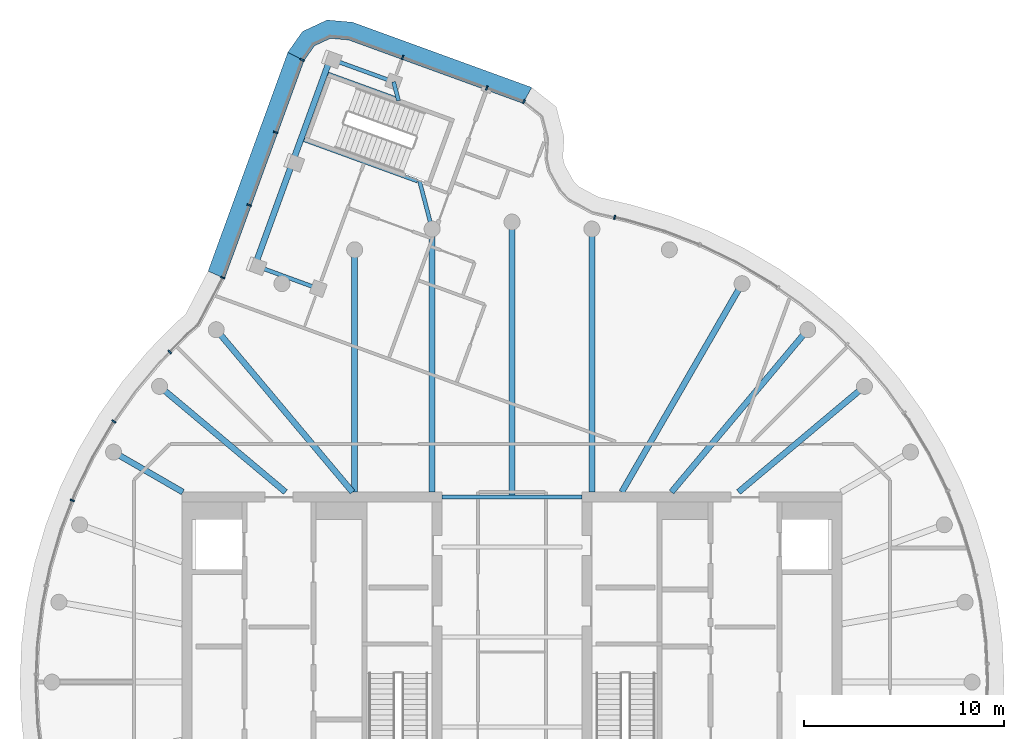
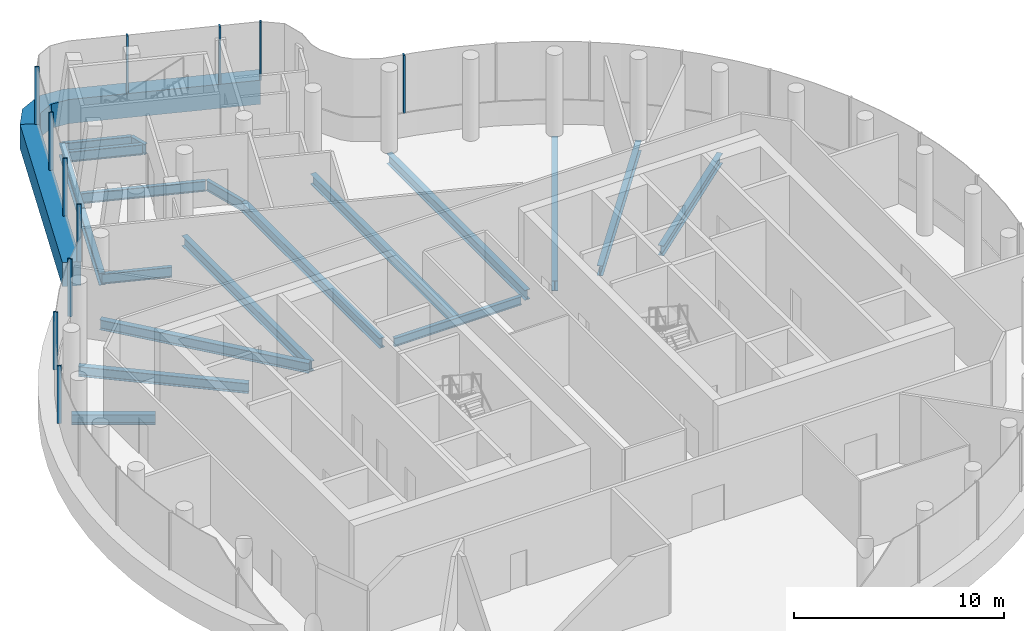
# One storey, part 5 of 12: 19 beams, 13 members, 3 elements without a shape of their own.
"""IFC4 building model written with IfcOpenShell, lengths in metres."""

from ifc_helpers import new_model, si_unit, direction, frame, origin, origin_2d, place, context, subcontext, project, spatial, polyline, rectangle, i_section, outline, extrude, material, layer, layer_set, material_profile, profile_set, type_object, element, aggregate, save


model = new_model("IFC4")

# Units and contexts
model_context = context("Model", 3, precision=1e-05, world=origin(), true_north=direction((0.0, 1.0)))
body_context = subcontext(model_context, "Body", "Model", "MODEL_VIEW")
ifc_project = project(units=[si_unit("LENGTHUNIT", "METRE"), si_unit("AREAUNIT", "SQUARE_METRE"), si_unit("VOLUMEUNIT", "CUBIC_METRE"), si_unit("PLANEANGLEUNIT", "RADIAN"), si_unit("MASSUNIT", "GRAM", prefix="KILO")], contexts=[model_context])

# Site, building, storey
site_placement = place(None, origin())
site = spatial("IfcSite", under=ifc_project, at=site_placement, CompositionType="ELEMENT")
building_placement = place(site_placement, origin())
building = spatial("IfcBuilding", under=site, at=building_placement, Name="Tamarind Cross Interchange Tower", CompositionType="ELEMENT")
storey_placement = place(building_placement, frame((0.0, 0.0, 294.39990234375)))
storey = spatial("IfcBuildingStorey", under=building, at=storey_placement, Name="L73", CompositionType="ELEMENT", Elevation=294.39990234375)

# Beams
ifc_material_1 = material(Name="Steel Q355B", Category="steel")
ifc_material_profile_1 = material_profile(ifc_material_1, i_section(OverallWidth=0.300048828125, OverallDepth=0.58203125, WebThickness=0.011962890625, FlangeThickness=0.01708984375, FilletRadius=0.01806640625, at=origin_2d()), Name="HM 582x300x12x17")
ifc_profile_set_1 = profile_set([ifc_material_profile_1], Name="Steel Q355B")
beam_type_1 = type_object("IfcBeamType", Name="Composite beam HM 582x300x12x17 Q355B", PredefinedType="BEAM", material=ifc_profile_set_1)
beam_1_placement = place(storey_placement, frame((17.619140625, 14.7841796875, -0.490966796875), z_axis=(-0.766040580814, -0.642792212574, 0.0), x_axis=(0.642792212574, -0.766040580814, 0.0)))
element("IfcBeam", 1, at=beam_1_placement, inside=storey, type_object=beam_type_1, Name="Beam HH04", PredefinedType="BEAM", context=body_context, shape_type="SweptSolid", body=[
    extrude(i_section(OverallWidth=0.300048828125, OverallDepth=0.58203125, WebThickness=0.011962890625, FlangeThickness=0.01708984375, FilletRadius=0.01806640625, at=origin_2d()), origin(), (0.0, 0.0, 1.0), 8.220703125),
])
beam_2_placement = place(storey_placement, frame((14.7841796875, 17.619140625, -0.490966796875), z_axis=(-0.642786293979, -0.766045547127, 0.0), x_axis=(0.766045547127, -0.642786293979, 0.0)))
element("IfcBeam", 2, at=beam_2_placement, inside=storey, type_object=beam_type_1, Name="Beam HH05", PredefinedType="BEAM", context=body_context, shape_type="SweptSolid", body=[
    extrude(i_section(OverallWidth=0.300048828125, OverallDepth=0.58203125, WebThickness=0.011962890625, FlangeThickness=0.01708984375, FilletRadius=0.01806640625, at=origin_2d()), origin(), (0.0, 0.0, 1.0), 10.598876953125),
])
beam_3_placement = place(storey_placement, frame((11.5, 19.918701171875, -0.490966796875), z_axis=(-0.499993565836, -0.866029118519, 0.0), x_axis=(0.866029118519, -0.499993565836, 0.0)))
element("IfcBeam", 3, at=beam_3_placement, inside=storey, type_object=beam_type_1, Name="Beam HH06", PredefinedType="BEAM", context=body_context, shape_type="SweptSolid", body=[
    extrude(i_section(OverallWidth=0.300048828125, OverallDepth=0.58203125, WebThickness=0.011962890625, FlangeThickness=0.01708984375, FilletRadius=0.01806640625, at=origin_2d()), origin(), (0.0, 0.0, 1.0), 12.030517578125),
])
beam_4_placement = place(storey_placement, frame((3.993896484375, 22.650634765625, -0.490966796875), z_axis=(0.0, -1.0, 0.0), x_axis=(1.0, 0.0, 0.0)))
element("IfcBeam", 4, at=beam_4_placement, inside=storey, type_object=beam_type_1, Name="Beam HH08", PredefinedType="BEAM", context=body_context, shape_type="SweptSolid", body=[
    extrude(i_section(OverallWidth=0.300048828125, OverallDepth=0.58203125, WebThickness=0.011962890625, FlangeThickness=0.01708984375, FilletRadius=0.01806640625, at=origin_2d()), origin(), (0.0, 0.0, 1.0), 13.150634765625),
])
beam_5_placement = place(storey_placement, frame((0.0, 23.0, -0.490966796875), z_axis=(0.0, -1.0, 0.0), x_axis=(1.0, 0.0, 0.0)))
element("IfcBeam", 5, at=beam_5_placement, inside=storey, type_object=beam_type_1, Name="Beam HH09", PredefinedType="BEAM", context=body_context, shape_type="SweptSolid", body=[
    extrude(i_section(OverallWidth=0.300048828125, OverallDepth=0.58203125, WebThickness=0.011962890625, FlangeThickness=0.01708984375, FilletRadius=0.01806640625, at=origin_2d()), origin(), (0.0, 0.0, 1.0), 13.75),
])
beam_6_placement = place(storey_placement, frame((-3.993896484375, 22.650634765625, -0.490966796875), z_axis=(0.0, -1.0, 0.0), x_axis=(1.0, 0.0, 0.0)))
element("IfcBeam", 6, at=beam_6_placement, inside=storey, type_object=beam_type_1, Name="Beam HH10", PredefinedType="BEAM", context=body_context, shape_type="SweptSolid", body=[
    extrude(i_section(OverallWidth=0.300048828125, OverallDepth=0.58203125, WebThickness=0.011962890625, FlangeThickness=0.01708984375, FilletRadius=0.01806640625, at=origin_2d()), origin(), (0.0, 0.0, 1.0), 13.150634765625),
])
beam_7_placement = place(storey_placement, frame((-7.866455078125, 21.613037109375, -0.490966796875), z_axis=(0.0, -1.0, 0.0), x_axis=(1.0, 0.0, 0.0)))
element("IfcBeam", 7, at=beam_7_placement, inside=storey, type_object=beam_type_1, Name="Beam HH11", PredefinedType="BEAM", context=body_context, shape_type="SweptSolid", body=[
    extrude(i_section(OverallWidth=0.300048828125, OverallDepth=0.58203125, WebThickness=0.011962890625, FlangeThickness=0.01708984375, FilletRadius=0.01806640625, at=origin_2d()), origin(), (0.0, 0.0, 1.0), 12.113037109375),
])
beam_8_placement = place(storey_placement, frame((-14.7841796875, 17.619140625, -0.490966796875), z_axis=(0.642786293979, -0.766045547127, 0.0), x_axis=(0.766045547127, 0.642786293979, 0.0)))
element("IfcBeam", 8, at=beam_8_placement, inside=storey, type_object=beam_type_1, Name="Beam HH13", PredefinedType="BEAM", context=body_context, shape_type="SweptSolid", body=[
    extrude(i_section(OverallWidth=0.300048828125, OverallDepth=0.58203125, WebThickness=0.011962890625, FlangeThickness=0.01708984375, FilletRadius=0.01806640625, at=origin_2d()), origin(), (0.0, 0.0, 1.0), 10.598876953125),
])
beam_9_placement = place(storey_placement, frame((-17.619140625, 14.7841796875, -0.490966796875), z_axis=(0.766040580814, -0.642792212574, 0.0), x_axis=(0.642792212574, 0.766040580814, 0.0)))
element("IfcBeam", 9, at=beam_9_placement, inside=storey, type_object=beam_type_1, Name="Beam HH14", PredefinedType="BEAM", context=body_context, shape_type="SweptSolid", body=[
    extrude(i_section(OverallWidth=0.300048828125, OverallDepth=0.58203125, WebThickness=0.011962890625, FlangeThickness=0.01708984375, FilletRadius=0.01806640625, at=origin_2d()), origin(), (0.0, 0.0, 1.0), 8.220703125),
])
beam_10_placement = place(storey_placement, frame((-19.918701171875, 11.5, -0.490966796875), z_axis=(0.866026010844, -0.49999894854, 0.0), x_axis=(0.49999894854, 0.866026010844, 0.0)))
element("IfcBeam", 10, at=beam_10_placement, inside=storey, type_object=beam_type_1, Name="Beam HH15", PredefinedType="BEAM", context=body_context, shape_type="SweptSolid", body=[
    extrude(i_section(OverallWidth=0.300048828125, OverallDepth=0.58203125, WebThickness=0.011962890625, FlangeThickness=0.01708984375, FilletRadius=0.01806640625, at=origin_2d()), origin(), (0.0, 0.0, 1.0), 4.0),
])
ifc_material_profile_2 = material_profile(ifc_material_1, i_section(OverallWidth=0.198974609375, OverallDepth=0.49609375, WebThickness=0.009033203125, FlangeThickness=0.013916015625, FilletRadius=0.012939453125, at=origin_2d()), Name="HN 496x199x9x14")
ifc_profile_set_2 = profile_set([ifc_material_profile_2], Name="Steel Q355B")
beam_type_2 = type_object("IfcBeamType", Name="Composite beam HN 496x199x9x14 Q355B", PredefinedType="BEAM", material=ifc_profile_set_2)
beam_11_placement = place(storey_placement, frame((-3.5, 9.25, -0.447998046875), z_axis=(1.0, 0.0, 0.0), x_axis=(0.0, 1.0, 0.0)))
element("IfcBeam", 11, at=beam_11_placement, inside=storey, type_object=beam_type_2, Name="Beam G9.25", PredefinedType="BEAM", context=body_context, shape_type="SweptSolid", body=[
    extrude(i_section(OverallWidth=0.198974609375, OverallDepth=0.49609375, WebThickness=0.009033203125, FlangeThickness=0.013916015625, FilletRadius=0.012939453125, at=origin_2d()), origin(), (0.0, 0.0, 1.0), 7.0),
])
ifc_material_profile_3 = material_profile(ifc_material_1, i_section(OverallWidth=0.199951171875, OverallDepth=0.60009765625, WebThickness=0.010986328125, FlangeThickness=0.01708984375, FilletRadius=0.012939453125, at=origin_2d()), Name="HN 600x200x11x17")
ifc_profile_set_3 = profile_set([ifc_material_profile_3], Name="Steel Q355B")
beam_type_3 = type_object("IfcBeamType", Name="Composite beam HN 600x200x11x17 Q355B", PredefinedType="BEAM", material=ifc_profile_set_3)
for number, where, z_axis, x_axis, name in (
    (12, (-9.087890625, 31.160400390625, -0.5), (0.939694053397, -0.342016207233, 0.0), (0.342016207233, 0.939694053397, 0.0), "Beam N-edgeem4"),
    (13, (-12.849853515625, 20.823486328125, -0.5), (0.939717315459, -0.341952287647, 0.0), (0.341952287647, 0.939717315459, 0.0), "Beam N-edgeep2"),
):
    element("IfcBeam", number, at=place(storey_placement, frame(where, z_axis=z_axis, x_axis=x_axis)), inside=storey, type_object=beam_type_3, Name=name, PredefinedType="BEAM", context=body_context, shape_type="SweptSolid", body=[
        extrude(i_section(OverallWidth=0.199951171875, OverallDepth=0.60009765625, WebThickness=0.010986328125, FlangeThickness=0.01708984375, FilletRadius=0.012939453125, at=origin_2d()), origin(), (0.0, 0.0, 1.0), 3.372802734375),
    ])
beam_12_placement = place(storey_placement, frame((-5.91845703125, 30.0068359375, -0.5), z_axis=(0.253034973779, -0.96745713189, 0.0), x_axis=(0.96745713189, 0.253034973779, 0.0)))
element("IfcBeam", 14, at=beam_12_placement, inside=storey, type_object=beam_type_3, Name="Beam N-linkemt0", PredefinedType="BEAM", context=body_context, shape_type="SweptSolid", body=[
    extrude(i_section(OverallWidth=0.199951171875, OverallDepth=0.60009765625, WebThickness=0.010986328125, FlangeThickness=0.01708984375, FilletRadius=0.012939453125, at=origin_2d()), origin(), (0.0, 0.0, 1.0), 0.97265625),
])
beam_13_placement = place(storey_placement, frame((-4.626220703125, 25.067138671875, -0.5), z_axis=(0.253145965602, -0.967428095571, 0.0), x_axis=(0.967428095571, 0.253145965602, 0.0)))
element("IfcBeam", 15, at=beam_13_placement, inside=storey, type_object=beam_type_3, Name="Beam N-linkemt1", PredefinedType="BEAM", context=body_context, shape_type="SweptSolid", body=[
    extrude(i_section(OverallWidth=0.199951171875, OverallDepth=0.60009765625, WebThickness=0.010986328125, FlangeThickness=0.01708984375, FilletRadius=0.012939453125, at=origin_2d()), origin(), (0.0, 0.0, 1.0), 2.497802734375),
])
beam_14_placement = place(storey_placement, frame((-5.802001953125, 29.166259765625, -0.5), z_axis=(-0.939689007185, 0.34203007145, 0.0), x_axis=(-0.34203007145, -0.939689007185, 0.0)))
element("IfcBeam", 16, at=beam_14_placement, inside=storey, type_object=beam_type_3, Name="Beam N-tr0s1", PredefinedType="BEAM", context=body_context, shape_type="SweptSolid", body=[
    extrude(i_section(OverallWidth=0.199951171875, OverallDepth=0.60009765625, WebThickness=0.010986328125, FlangeThickness=0.01708984375, FilletRadius=0.012939453125, at=origin_2d()), origin(), (0.0, 0.0, 1.0), 3.61962890625),
])
beam_15_placement = place(storey_placement, frame((-4.72509765625, 25.0498046875, -0.5), z_axis=(-0.939703690439, 0.341989728173, 0.0), x_axis=(-0.341989728173, -0.939703690439, 0.0)))
element("IfcBeam", 17, at=beam_15_placement, inside=storey, type_object=beam_type_3, Name="Beam N-tr1s1", PredefinedType="BEAM", context=body_context, shape_type="SweptSolid", body=[
    extrude(i_section(OverallWidth=0.199951171875, OverallDepth=0.60009765625, WebThickness=0.010986328125, FlangeThickness=0.01708984375, FilletRadius=0.012939453125, at=origin_2d()), origin(), (0.0, 0.0, 1.0), 6.03955078125),
])
ifc_material_profile_4 = material_profile(ifc_material_1, i_section(OverallWidth=0.300048828125, OverallDepth=0.699951171875, WebThickness=0.012939453125, FlangeThickness=0.02392578125, FilletRadius=0.01806640625, at=origin_2d()), Name="HN 700x300x13x24")
ifc_profile_set_4 = profile_set([ifc_material_profile_4], Name="Steel Q355B")
beam_type_4 = type_object("IfcBeamType", Name="Composite beam HN 700x300x13x24 Q355B", PredefinedType="BEAM", material=ifc_profile_set_4)
beam_16_placement = place(storey_placement, frame((-9.087890625, 31.160400390625, -0.5498046875), z_axis=(-0.341971153024, -0.939710450351, 0.0), x_axis=(0.939710450351, -0.341971153024, 0.0)))
element("IfcBeam", 18, at=beam_16_placement, inside=storey, type_object=beam_type_4, Name="Beam N-tip0", PredefinedType="BEAM", context=body_context, shape_type="SweptSolid", body=[
    extrude(i_section(OverallWidth=0.300048828125, OverallDepth=0.699951171875, WebThickness=0.012939453125, FlangeThickness=0.02392578125, FilletRadius=0.01806640625, at=origin_2d()), origin(), (0.0, 0.0, 1.0), 5.5),
])
beam_17_placement = place(storey_placement, frame((-10.96875, 25.991943359375, -0.5498046875), z_axis=(-0.342010349897, -0.939696185245, 0.0), x_axis=(0.939696185245, -0.342010349897, 0.0)))
element("IfcBeam", 19, at=beam_17_placement, inside=storey, type_object=beam_type_4, Name="Beam N-tip1", PredefinedType="BEAM", context=body_context, shape_type="SweptSolid", body=[
    extrude(i_section(OverallWidth=0.300048828125, OverallDepth=0.699951171875, WebThickness=0.012939453125, FlangeThickness=0.02392578125, FilletRadius=0.01806640625, at=origin_2d()), origin(), (0.0, 0.0, 1.0), 5.500244140625),
])

# Curtain wall, member
ifc_material_2 = material(Name="Aluminium 6063-T6", Category="aluminium")
ifc_layer = layer(ifc_material_2, 0.219970703125)
ifc_layer_set = layer_set([ifc_layer], Name="Aluminium 6063-T6")
curtain_wall_type = type_object("IfcCurtainWallType", Name="Observation deck curtain wall", PredefinedType="NOTDEFINED", material=ifc_layer_set)
curtain_wall_1_placement = place(storey_placement, origin())
curtain_wall_1 = element("IfcCurtainWall", 20, at=curtain_wall_1_placement, inside=storey, type_object=curtain_wall_type, Name="CWS-L73-00", PredefinedType="NOTDEFINED")
ifc_material_3 = material(Name="Aluminium and insulated spandrel panel", Category="aluminium")
member_type_1 = type_object("IfcMemberType", Name="Floor-edge blade transom", PredefinedType="USERDEFINED", material=ifc_material_3)
member_1_placement = place(storey_placement, origin())
member_1 = element("IfcMember", 21, at=member_1_placement, type_object=member_type_1, Name="CWT-L73-00", ObjectType="TRANSOM", PredefinedType="USERDEFINED", context=body_context, shape_type="SweptSolid", body=[
    extrude(outline(polyline([(0.54443359375, 28.931884765625), (-8.17041015625, 32.103515625), (-9.08203125, 32.183349609375), (-9.87451171875, 31.81396484375), (-10.399658203125, 31.064453125), (-11.20458984375, 31.484130859375), (-10.47314453125, 32.52783203125), (-9.24365234375, 33.100830078125), (-7.973876953125, 32.98974609375), (0.9892578125, 29.7275390625), (0.54443359375, 28.931884765625)])), origin(), (0.0, 0.0, 1.0), 1.400146484375),
])

curtain_wall_2_placement = place(storey_placement, origin())
curtain_wall_2 = element("IfcCurtainWall", 22, at=curtain_wall_2_placement, inside=storey, type_object=curtain_wall_type, Name="CWS-L73-01", PredefinedType="NOTDEFINED")
member_2_placement = place(storey_placement, origin())
member_2 = element("IfcMember", 23, at=member_2_placement, type_object=member_type_1, Name="CWT-L73-01", ObjectType="TRANSOM", PredefinedType="USERDEFINED", context=body_context, shape_type="SweptSolid", body=[
    extrude(outline(polyline([(-10.399658203125, 31.064453125), (-14.367431640625, 20.179443359375), (-15.1923828125, 20.544189453125), (-11.20458984375, 31.484130859375), (-10.399658203125, 31.064453125)])), origin(), (0.0, 0.0, 1.0), 1.400146484375),
])

# Member
ifc_material_profile_5 = material_profile(ifc_material_2, rectangle(XDim=0.080078125, YDim=0.219970703125, at=origin_2d()), Name="Mullion CW5")
ifc_profile_set_5 = profile_set([ifc_material_profile_5], Name="Aluminium 6063-T6")
member_type_2 = type_object("IfcMemberType", Name="Mullion CW5", PredefinedType="MULLION", material=ifc_profile_set_5)
member_3_placement = place(storey_placement, frame((0.59375, 29.020263671875, 1.400146484375), z_axis=(0.0, 0.0, 1.0), x_axis=(-0.872892468208, 0.487912634543, 0.0)))
member_3 = element("IfcMember", 24, at=member_3_placement, type_object=member_type_2, Name="CWM-L73-00-00", PredefinedType="MULLION", context=body_context, shape_type="SweptSolid", body=[
    extrude(rectangle(XDim=0.080078125, YDim=0.219970703125, at=origin_2d()), origin(), (0.0, 0.0, 1.0), 3.349853515625),
])

member_4_placement = place(storey_placement, frame((-1.26416015625, 29.6962890625, 1.400146484375), z_axis=(0.0, 0.0, 1.0), x_axis=(-0.939702171424, 0.341993902024, 0.0)))
member_4 = element("IfcMember", 25, at=member_4_placement, type_object=member_type_2, Name="CWM-L73-00-01", PredefinedType="MULLION", context=body_context, shape_type="SweptSolid", body=[
    extrude(rectangle(XDim=0.080078125, YDim=0.219970703125, at=origin_2d()), origin(), (0.0, 0.0, 1.0), 3.349853515625),
])

member_5_placement = place(storey_placement, frame((-5.466064453125, 31.2255859375, 1.400146484375), z_axis=(0.0, 0.0, 1.0), x_axis=(-0.939702171424, 0.341993902024, 0.0)))
member_5 = element("IfcMember", 26, at=member_5_placement, type_object=member_type_2, Name="CWM-L73-00-02", PredefinedType="MULLION", context=body_context, shape_type="SweptSolid", body=[
    extrude(rectangle(XDim=0.080078125, YDim=0.219970703125, at=origin_2d()), origin(), (0.0, 0.0, 1.0), 3.349853515625),
])

aggregate(curtain_wall_1, [member_3, member_4, member_5, member_1])

member_6_placement = place(storey_placement, frame((-10.489013671875, 31.111083984375, 1.400146484375), z_axis=(0.0, 0.0, 1.0), x_axis=(-0.46213098069, -0.886811680508, 0.0)))
member_6 = element("IfcMember", 27, at=member_6_placement, type_object=member_type_2, Name="CWM-L73-01-00", PredefinedType="MULLION", context=body_context, shape_type="SweptSolid", body=[
    extrude(rectangle(XDim=0.080078125, YDim=0.219970703125, at=origin_2d()), origin(), (0.0, 0.0, 1.0), 3.349853515625),
])

member_7_placement = place(storey_placement, frame((-11.8125, 27.480712890625, 1.400146484375), z_axis=(0.0, 0.0, 1.0), x_axis=(-0.342464442643, -0.939530790089, 0.0)))
member_7 = element("IfcMember", 28, at=member_7_placement, type_object=member_type_2, Name="CWM-L73-01-01", PredefinedType="MULLION", context=body_context, shape_type="SweptSolid", body=[
    extrude(rectangle(XDim=0.080078125, YDim=0.219970703125, at=origin_2d()), origin(), (0.0, 0.0, 1.0), 3.349853515625),
])

member_8_placement = place(storey_placement, frame((-13.1357421875, 23.850341796875, 1.400146484375), z_axis=(0.0, 0.0, 1.0), x_axis=(-0.342464442643, -0.939530790089, 0.0)))
member_8 = element("IfcMember", 29, at=member_8_placement, type_object=member_type_2, Name="CWM-L73-01-02", PredefinedType="MULLION", context=body_context, shape_type="SweptSolid", body=[
    extrude(rectangle(XDim=0.080078125, YDim=0.219970703125, at=origin_2d()), origin(), (0.0, 0.0, 1.0), 3.349853515625),
])

aggregate(curtain_wall_2, [member_6, member_7, member_8, member_2])

# Curtain wall, members
curtain_wall_3_placement = place(storey_placement, origin())
curtain_wall_3 = element("IfcCurtainWall", 30, at=curtain_wall_3_placement, inside=storey, type_object=curtain_wall_type, Name="CWS-L73-02", PredefinedType="NOTDEFINED")
member_9_placement = place(storey_placement, frame((-14.458984375, 20.219970703125, 1.400146484375), z_axis=(0.0, 0.0, 1.0), x_axis=(-0.40440421523, -0.914580357707, 0.0)))
member_9 = element("IfcMember", 31, at=member_9_placement, type_object=member_type_2, Name="CWM-L73-02-00", PredefinedType="MULLION", context=body_context, shape_type="SweptSolid", body=[
    extrude(rectangle(XDim=0.080078125, YDim=0.219970703125, at=origin_2d()), origin(), (0.0, 0.0, 1.0), 3.349853515625),
])
member_10_placement = place(storey_placement, frame((-17.112548828125, 16.5087890625, 1.400146484375), z_axis=(0.0, 0.0, 1.0), x_axis=(-0.704057148523, -0.710143317658, 0.0)))
member_10 = element("IfcMember", 32, at=member_10_placement, type_object=member_type_2, Name="CWM-L73-02-01", PredefinedType="MULLION", context=body_context, shape_type="SweptSolid", body=[
    extrude(rectangle(XDim=0.080078125, YDim=0.219970703125, at=origin_2d()), origin(), (0.0, 0.0, 1.0), 3.349853515625),
])
member_11_placement = place(storey_placement, frame((-19.90478515625, 13.031005859375, 1.400146484375), z_axis=(0.0, 0.0, 1.0), x_axis=(-0.577568978284, -0.816341886298, 0.0)))
member_11 = element("IfcMember", 33, at=member_11_placement, type_object=member_type_2, Name="CWM-L73-02-02", PredefinedType="MULLION", context=body_context, shape_type="SweptSolid", body=[
    extrude(rectangle(XDim=0.080078125, YDim=0.219970703125, at=origin_2d()), origin(), (0.0, 0.0, 1.0), 3.349853515625),
])
member_12_placement = place(storey_placement, frame((-21.979248046875, 9.08349609375, 1.400146484375), z_axis=(0.0, 0.0, 1.0), x_axis=(-0.359495435512, -0.933146843667, 0.0)))
member_12 = element("IfcMember", 34, at=member_12_placement, type_object=member_type_2, Name="CWM-L73-02-03", PredefinedType="MULLION", context=body_context, shape_type="SweptSolid", body=[
    extrude(rectangle(XDim=0.080078125, YDim=0.219970703125, at=origin_2d()), origin(), (0.0, 0.0, 1.0), 3.349853515625),
])
member_13_placement = place(storey_placement, frame((5.130126953125, 23.236083984375, 1.400146484375), z_axis=(0.0, 0.0, 1.0), x_axis=(-0.973671785319, 0.227954500887, 0.0)))
member_13 = element("IfcMember", 35, at=member_13_placement, type_object=member_type_2, Name="CWM-L73-02-29", PredefinedType="MULLION", context=body_context, shape_type="SweptSolid", body=[
    extrude(rectangle(XDim=0.080078125, YDim=0.219970703125, at=origin_2d()), origin(), (0.0, 0.0, 1.0), 3.349853515625),
])
aggregate(curtain_wall_3, [member_9, member_10, member_11, member_12, member_13])

save(model, "model.ifc")
